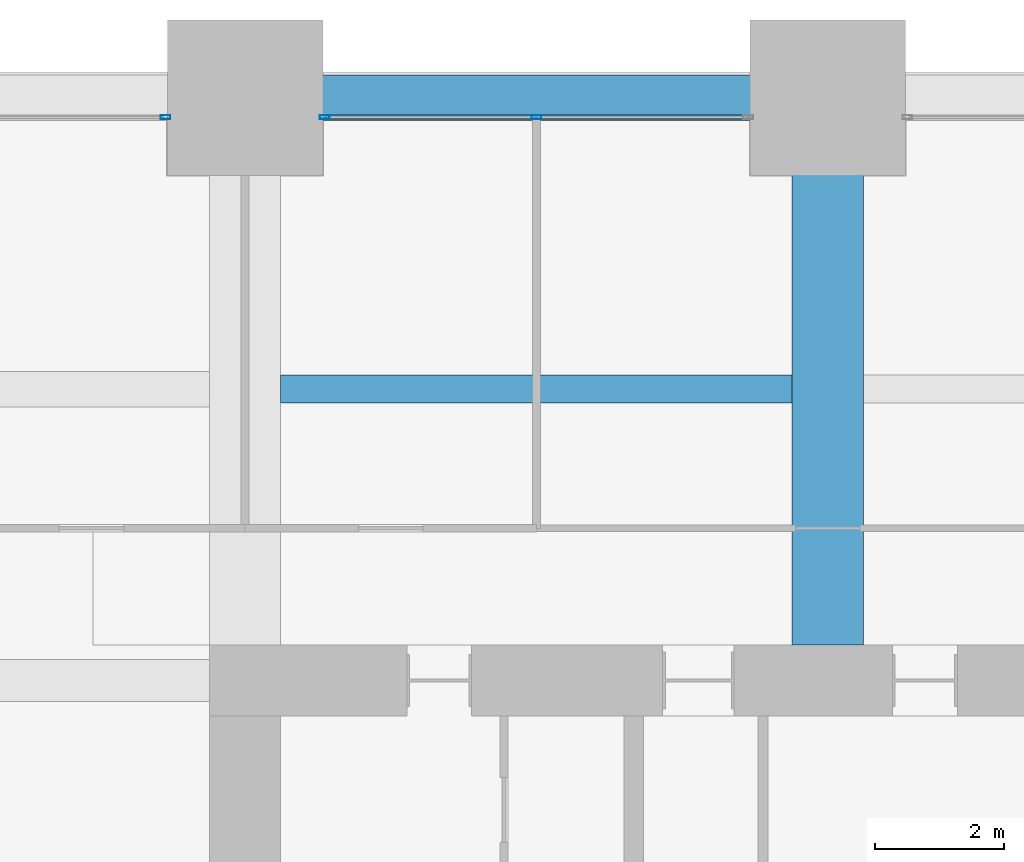
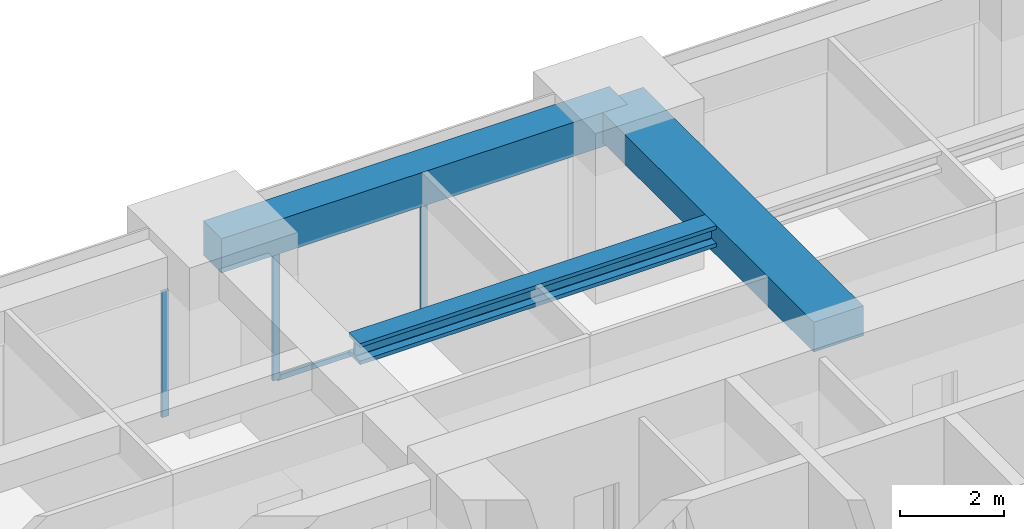
# One storey, part 24 of 33: 4 members, 3 beams, 2 elements without a shape of their own.
"""IFC4 building model written with IfcOpenShell, lengths in metres."""

from ifc_helpers import new_model, si_unit, direction, frame, origin, origin_2d, place, context, subcontext, project, spatial, rectangle, hollow_rectangle, i_section, extrude, material, material_profile, profile_set, type_object, element, aggregate, save


model = new_model("IFC4")

# Units and contexts
model_context = context("Model", 3, precision=1e-05, world=origin(), true_north=direction((0.0, 1.0)))
body_context = subcontext(model_context, "Body", "Model", "MODEL_VIEW")
ifc_project = project(units=[si_unit("LENGTHUNIT", "METRE"), si_unit("AREAUNIT", "SQUARE_METRE"), si_unit("VOLUMEUNIT", "CUBIC_METRE"), si_unit("PLANEANGLEUNIT", "RADIAN"), si_unit("MASSUNIT", "GRAM", prefix="KILO")], contexts=[model_context])

# Site, building, storey
site_placement = place(None, origin())
site = spatial("IfcSite", under=ifc_project, at=site_placement, CompositionType="ELEMENT")
building_placement = place(site_placement, origin())
building = spatial("IfcBuilding", under=site, at=building_placement, Name="Zorevar Civic Tower", CompositionType="ELEMENT")
storey_placement = place(building_placement, frame((0.0, 0.0, 206.199951171875)))
storey = spatial("IfcBuildingStorey", under=building, at=storey_placement, Name="L50", CompositionType="ELEMENT", Elevation=206.199951171875)

# Beam
ifc_material_1 = material(Name="Concrete C50/60", Category="concrete")
ifc_material_profile_1 = material_profile(ifc_material_1, rectangle(XDim=1.10009765625, YDim=0.699951171875, at=origin_2d()), Name="RC 1100x700")
ifc_profile_set_1 = profile_set([ifc_material_profile_1], Name="Concrete C50/60")
beam_type_1 = type_object("IfcBeamType", Name="Beam RC 1100x700", PredefinedType="BEAM", material=ifc_profile_set_1)
beam_1_placement = place(storey_placement, frame((27.0, 36.550048828125, 3.400146484375), z_axis=(0.0, 1.0, 0.0), x_axis=(-1.0, 0.0, 0.0)))
element("IfcBeam", 1, at=beam_1_placement, inside=storey, type_object=beam_type_1, Name="Girder L51", PredefinedType="BEAM", context=body_context, shape_type="SweptSolid", body=[
    extrude(rectangle(XDim=1.10009765625, YDim=0.699951171875, at=origin_2d()), origin(), (0.0, 0.0, 1.0), 8.449951171875),
])

# Curtain wall, member
ifc_material_2 = material(Name="Dark grey solar-control glass in black aluminium frame", Category="aluminium")
curtain_wall_type = type_object("IfcCurtainWallType", Name="Curtain wall CW4 high zone", PredefinedType="NOTDEFINED", material=ifc_material_2)
curtain_wall_1_placement = place(storey_placement, origin())
curtain_wall_1 = element("IfcCurtainWall", 2, at=curtain_wall_1_placement, inside=storey, type_object=curtain_wall_type, Name="CW4 L50", PredefinedType="NOTDEFINED")
ifc_material_3 = material(Name="Aluminium, black anodised", Category="aluminium")
ifc_material_profile_2 = material_profile(ifc_material_3, hollow_rectangle(XDim=0.06005859375, YDim=0.14990234375, WallThickness=0.00390625, at=origin_2d()), Name="AL 150x60x4")
ifc_profile_set_2 = profile_set([ifc_material_profile_2], Name="Aluminium, black anodised")
member_type_1 = type_object("IfcMemberType", Name="CW4 mullion AL 150x60x4", PredefinedType="MULLION", material=ifc_profile_set_2)
member_1_placement = place(storey_placement, frame((16.77001953125, 44.699951171875, 0.0), z_axis=(0.0, 0.0, 1.0), x_axis=(0.0, 1.0, 0.0)))
member_1 = element("IfcMember", 3, at=member_1_placement, type_object=member_type_1, Name="CW4 mullion 3", PredefinedType="MULLION", context=body_context, shape_type="SweptSolid", body=[
    extrude(hollow_rectangle(XDim=0.06005859375, YDim=0.14990234375, WallThickness=0.00390625, at=origin_2d()), origin(), (0.0, 0.0, 1.0), 2.949951171875),
])
aggregate(curtain_wall_1, [member_1])

# Curtain wall, members
curtain_wall_2_placement = place(storey_placement, origin())
curtain_wall_2 = element("IfcCurtainWall", 4, at=curtain_wall_2_placement, inside=storey, type_object=curtain_wall_type, Name="CW4 L50", PredefinedType="NOTDEFINED")
member_2_placement = place(storey_placement, frame((19.22998046875, 44.699951171875, 0.0), z_axis=(0.0, 0.0, 1.0), x_axis=(0.0, 1.0, 0.0)))
member_2 = element("IfcMember", 5, at=member_2_placement, type_object=member_type_1, Name="CW4 mullion 1", PredefinedType="MULLION", context=body_context, shape_type="SweptSolid", body=[
    extrude(hollow_rectangle(XDim=0.06005859375, YDim=0.14990234375, WallThickness=0.00390625, at=origin_2d()), origin(), (0.0, 0.0, 1.0), 2.949951171875),
])
member_3_placement = place(storey_placement, frame((22.5, 44.699951171875, 0.06005859375), z_axis=(0.0, 0.0, 1.0), x_axis=(0.0, 1.0, 0.0)))
member_3 = element("IfcMember", 6, at=member_3_placement, type_object=member_type_1, Name="CW4 mullion 2", PredefinedType="MULLION", context=body_context, shape_type="SweptSolid", body=[
    extrude(hollow_rectangle(XDim=0.06005859375, YDim=0.14990234375, WallThickness=0.00390625, at=origin_2d()), origin(), (0.0, 0.0, 1.0), 2.889892578125),
])
ifc_material_4 = material(Name="Aluminium, black anodised", Category="aluminium")
ifc_material_profile_3 = material_profile(ifc_material_4, hollow_rectangle(XDim=0.06005859375, YDim=0.1201171875, WallThickness=0.0029296875, at=origin_2d()), Name="AL 120x60x3")
ifc_profile_set_3 = profile_set([ifc_material_profile_3], Name="Aluminium, black anodised")
member_type_2 = type_object("IfcMemberType", Name="CW4 transom AL 120x60x3", PredefinedType="USERDEFINED", material=ifc_profile_set_3)
member_4_placement = place(storey_placement, frame((19.260009765625, 44.699951171875, 0.030029296875), z_axis=(1.0, 0.0, 0.0), x_axis=(0.0, 1.0, 0.0)))
member_4 = element("IfcMember", 7, at=member_4_placement, type_object=member_type_2, Name="CW4 sill transom", ObjectType="TRANSOM", PredefinedType="USERDEFINED", context=body_context, shape_type="SweptSolid", body=[
    extrude(hollow_rectangle(XDim=0.06005859375, YDim=0.1201171875, WallThickness=0.0029296875, at=origin_2d()), origin(), (0.0, 0.0, 1.0), 6.47998046875),
])
aggregate(curtain_wall_2, [member_2, member_3, member_4])

# Beams
ifc_material_5 = material(Name="Steel S460M (HISTAR 460)", Category="steel")
ifc_material_profile_4 = material_profile(ifc_material_5, i_section(OverallWidth=0.431884765625, OverallDepth=0.498046875, WebThickness=0.0556640625, FlangeThickness=0.0888671875, FilletRadius=0.014892578125, at=origin_2d()), Name="HD 400x744")
ifc_profile_set_4 = profile_set([ifc_material_profile_4], Name="Steel S460M (HISTAR 460)")
beam_type_2 = type_object("IfcBeamType", Name="Core bay beam HD 400x744", PredefinedType="BEAM", material=ifc_profile_set_4)
beam_2_placement = place(storey_placement, frame((18.550048828125, 40.5, 3.5009765625), z_axis=(1.0, 0.0, 0.0), x_axis=(0.0, 1.0, 0.0)))
element("IfcBeam", 8, at=beam_2_placement, inside=storey, type_object=beam_type_2, Name="Secondary beam L51", PredefinedType="BEAM", context=body_context, shape_type="SweptSolid", body=[
    extrude(i_section(OverallWidth=0.431884765625, OverallDepth=0.498046875, WebThickness=0.0556640625, FlangeThickness=0.0888671875, FilletRadius=0.014892578125, at=origin_2d()), origin(), (0.0, 0.0, 1.0), 7.89990234375),
])
ifc_material_6 = material(Name="Concrete C50/60", Category="concrete")
ifc_material_profile_5 = material_profile(ifc_material_6, rectangle(XDim=0.699951171875, YDim=0.800048828125, at=origin_2d()), Name="RC 700x800")
ifc_profile_set_5 = profile_set([ifc_material_profile_5], Name="Concrete C50/60")
beam_type_3 = type_object("IfcBeamType", Name="Edge beam RC 700x800", PredefinedType="SPANDREL", material=ifc_profile_set_5)
beam_3_placement = place(storey_placement, frame((18.0, 45.0, 3.35009765625), z_axis=(1.0, 0.0, 0.0), x_axis=(0.0, 1.0, 0.0)))
element("IfcBeam", 9, at=beam_3_placement, inside=storey, type_object=beam_type_3, Name="Edge beam L51", PredefinedType="SPANDREL", context=body_context, shape_type="SweptSolid", body=[
    extrude(rectangle(XDim=0.699951171875, YDim=0.800048828125, at=origin_2d()), origin(), (0.0, 0.0, 1.0), 9.0),
])

save(model, "model.ifc")
